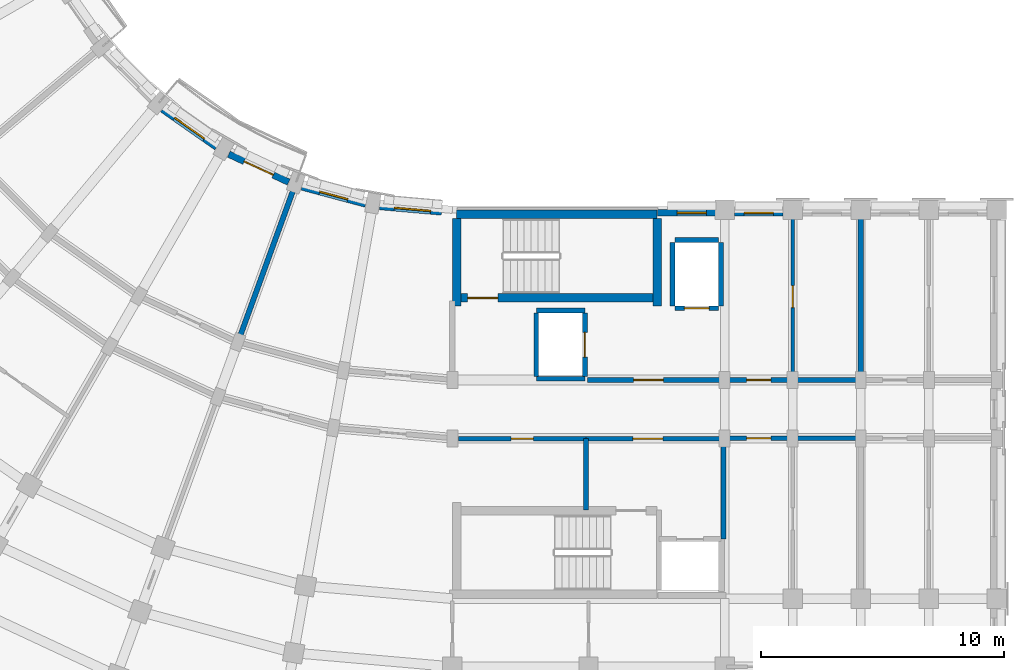
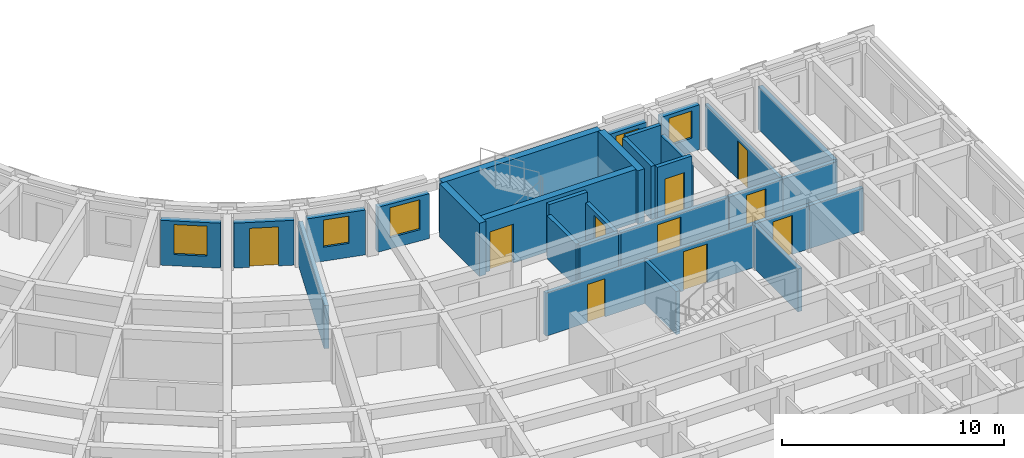
# One storey, part 17 of 54: 30 walls, 10 doors, 5 windows, 15 openings.
"""IFC4 building model written with IfcOpenShell, lengths in metres."""

import ifcopenshell
import ifcopenshell.guid

model = None  # the IFC model being written
_history = None  # IfcOwnerHistory: only IFC2X3 demands one
_inside = {}  # id of a spatial element -> (the spatial element, [elements in it])
_under = {}  # id of a project, library or spatial element -> (it, [spatial elements below it])
_declared = {}  # id of a project -> (the project, [libraries it declares])
_typed = {}  # id of a type object -> (the type object, [elements of that type])
_made_of = {}  # id of a material, layer set ... -> (it, [elements and type objects made of it])


def new_model(schema):
    """Start an empty IFC model of exactly this schema.

    Asked for "IFC4X3", IfcOpenShell would pick the latest addendum, in which some entities
    have other attributes; the version numbers below select the first issue.
    IFC2X3 requires an IfcOwnerHistory on every rooted entity: one is made here for all.
    """
    global model, _history
    if schema == "IFC4X3":
        model = ifcopenshell.file(schema_version=(4, 3, 0, 0))
    else:
        model = ifcopenshell.file(schema=schema)
    _inside.clear()
    _under.clear()
    _declared.clear()
    _typed.clear()
    _made_of.clear()
    _history = None
    if model.schema == "IFC2X3":
        org = make("IfcOrganization", Name="unknown")
        user = make(
            "IfcPersonAndOrganization",
            ThePerson=make("IfcPerson", FamilyName="unknown"),
            TheOrganization=org,
        )
        app = make(
            "IfcApplication",
            ApplicationDeveloper=org,
            Version="unknown",
            ApplicationFullName="unknown",
            ApplicationIdentifier="unknown",
        )
        _history = make(
            "IfcOwnerHistory",
            OwningUser=user,
            OwningApplication=app,
            ChangeAction="ADDED",
            CreationDate=0,
        )
    return model


def make(cls, **values):
    """One entity of the class cls with the attributes given. An attribute that is None is left unset."""
    return model.create_entity(
        cls, **{name: value for name, value in values.items() if value is not None}
    )


def rooted(cls, **values):
    """An entity with a GlobalId (a new one), such as an element, a storey or a relation."""
    return make(cls, GlobalId=ifcopenshell.guid.new(), OwnerHistory=_history, **values)


def si_unit(unit_type, name, prefix=None):
    """IfcSIUnit, for example si_unit("LENGTHUNIT", "METRE", prefix="MILLI")."""
    return make("IfcSIUnit", UnitType=unit_type, Prefix=prefix, Name=name)


def assignment(units):
    """IfcUnitAssignment: the units of a project."""
    return None if units is None else make("IfcUnitAssignment", Units=units)


def point(xyz):
    """IfcCartesianPoint."""
    return None if xyz is None else make("IfcCartesianPoint", Coordinates=xyz)


def direction(xyz):
    """IfcDirection."""
    return None if xyz is None else make("IfcDirection", DirectionRatios=xyz)


def frame(location, z_axis=None, x_axis=None):
    """IfcAxis2Placement3D, a coordinate frame: its origin and axes. An axis left out is left unset."""
    return make(
        "IfcAxis2Placement3D",
        Location=point(location),
        Axis=direction(z_axis),
        RefDirection=direction(x_axis),
    )


def frame_2d(location, x_axis=None):
    """IfcAxis2Placement2D, a coordinate frame in the plane: its origin and x axis."""
    return make(
        "IfcAxis2Placement2D", Location=point(location), RefDirection=direction(x_axis)
    )


def origin():
    """The frame at (0, 0, 0) with its axes left unset."""
    return frame((0.0, 0.0, 0.0))


def place(relative_to, where):
    """IfcLocalPlacement: puts the frame where relative to a parent placement (None: the world)."""
    return make(
        "IfcLocalPlacement", PlacementRelTo=relative_to, RelativePlacement=where
    )


def context(
    kind, dimensions, precision=None, world=None, true_north=None, identifier=None
):
    """IfcGeometricRepresentationContext, for example the 3D "Model" context."""
    return make(
        "IfcGeometricRepresentationContext",
        ContextIdentifier=identifier,
        ContextType=kind,
        CoordinateSpaceDimension=dimensions,
        Precision=precision,
        WorldCoordinateSystem=world,
        TrueNorth=true_north,
    )


def subcontext(parent, identifier, kind, view, scale=None):
    """IfcGeometricRepresentationSubContext, for example "Body" below "Model"."""
    return make(
        "IfcGeometricRepresentationSubContext",
        ContextIdentifier=identifier,
        ContextType=kind,
        ParentContext=parent,
        TargetScale=scale,
        TargetView=view,
    )


def project(units=None, contexts=None):
    """IfcProject with its units and contexts."""
    return rooted(
        "IfcProject",
        Name="project",
        RepresentationContexts=contexts,
        UnitsInContext=assignment(units),
    )


def spatial(cls, under=None, at=None, **own):
    """A site, building, storey or space (cls), placed at a placement, below another one or the project."""
    s = rooted(cls, ObjectPlacement=at, **own)
    if under is not None:
        _under.setdefault(under.id(), (under, []))[1].append(s)
    return s


def profile(cls, at=None, kind="AREA", **sizes):
    """A parametric profile (cls). Its sizes go by their IFC names, for example OverallWidth=200.0."""
    return make(cls, ProfileType=kind, Position=at, **sizes)


def rectangle(**sizes):
    """IfcRectangleProfileDef."""
    return profile("IfcRectangleProfileDef", **sizes)


def extrude(swept, where, along, depth):
    """IfcExtrudedAreaSolid: the profile swept, set in the frame where, extruded along a direction by depth."""
    return make(
        "IfcExtrudedAreaSolid",
        SweptArea=swept,
        Position=where,
        ExtrudedDirection=direction(along),
        Depth=depth,
    )


def shape(context_of_items, identifier, shape_type, items):
    """IfcShapeRepresentation: the items that make up one representation, for example the "Body"."""
    return make(
        "IfcShapeRepresentation",
        ContextOfItems=context_of_items,
        RepresentationIdentifier=identifier,
        RepresentationType=shape_type,
        Items=items,
    )


def material(Name=None, Category=None):
    """IfcMaterial."""
    return make("IfcMaterial", Name=Name, Category=Category)


def layer(
    of_material, thickness, ventilated=None, Name=None, Category=None, Priority=None
):
    """IfcMaterialLayer: one layer of a wall or slab, of a material (None: an air gap)."""
    return make(
        "IfcMaterialLayer",
        Material=of_material,
        LayerThickness=thickness,
        IsVentilated=ventilated,
        Name=Name,
        Category=Category,
        Priority=Priority,
    )


def layer_set(layers, Name=None):
    """IfcMaterialLayerSet."""
    return make("IfcMaterialLayerSet", MaterialLayers=layers, LayerSetName=Name)


def made_of(thing, what):
    """Note that an element or type object is made of a material, layer set ...; save() writes the relation."""
    if what is not None:
        _made_of.setdefault(what.id(), (what, []))[1].append(thing)
    return thing


def type_object(cls, material=None, **own):
    """A type object (cls), such as IfcWallType, which elements share."""
    return made_of(rooted(cls, **own), material)


def element(
    cls,
    number,
    at=None,
    inside=None,
    cuts=None,
    type_object=None,
    material=None,
    context=None,
    identifier="Body",
    shape_type=None,
    held_by="IfcProductDefinitionShape",
    body=None,
    shapes=None,
    **own,
):
    """One element of the class cls, such as IfcWall. Its Tag is "e" and its number.

    at: its placement. inside: the storey or other place that contains it. cuts: it is an
    opening in that element (IfcRelVoidsElement). A single representation is given by context,
    identifier, shape_type and body (its items); several are given by shapes. held_by: the class
    of the entity that holds the representations. save() writes the other relations.
    """
    e = rooted(cls, Tag="e%d" % number, ObjectPlacement=at, **own)
    if body is not None:
        shapes = [shape(context, identifier, shape_type, body)]
    if shapes is not None:
        e.Representation = make(held_by, Representations=shapes)
    if inside is not None:
        _inside.setdefault(inside.id(), (inside, []))[1].append(e)
    if cuts is not None:
        rooted(
            "IfcRelVoidsElement", RelatingBuildingElement=cuts, RelatedOpeningElement=e
        )
    if type_object is not None:
        _typed.setdefault(type_object.id(), (type_object, []))[1].append(e)
    return made_of(e, material)


def fill(opening, filler):
    """IfcRelFillsElement: the door or window that sits in an opening."""
    return rooted(
        "IfcRelFillsElement",
        RelatingOpeningElement=opening,
        RelatedBuildingElement=filler,
    )


def aggregate(whole, parts):
    """IfcRelAggregates: a whole, such as a stair, and the parts it consists of."""
    return rooted("IfcRelAggregates", RelatingObject=whole, RelatedObjects=parts)


def save(model, path):
    """Write the relations noted so far, then the file.

    IfcRelAggregates (storeys below a building ...), IfcRelContainedInSpatialStructure (elements
    in a storey), IfcRelDefinesByType, IfcRelAssociatesMaterial and IfcRelDeclares: one each for
    every whole, place, type object, material and project.
    """
    for whole, parts in _under.values():
        aggregate(whole, parts)
    for where, things in _inside.values():
        rooted(
            "IfcRelContainedInSpatialStructure",
            RelatedElements=things,
            RelatingStructure=where,
        )
    for kind, things in _typed.values():
        rooted("IfcRelDefinesByType", RelatedObjects=things, RelatingType=kind)
    for what, things in _made_of.values():
        rooted("IfcRelAssociatesMaterial", RelatedObjects=things, RelatingMaterial=what)
    for by, libraries in _declared.values():
        rooted("IfcRelDeclares", RelatingContext=by, RelatedDefinitions=libraries)
    model.write(path)


model = new_model("IFC4")

# Units and contexts
model_context = context("Model", 3, precision=1e-05, world=origin(), true_north=direction((0.0, 1.0)))
body_context = subcontext(model_context, "Body", "Model", "MODEL_VIEW")
ifc_project = project(units=[si_unit("LENGTHUNIT", "METRE"), si_unit("AREAUNIT", "SQUARE_METRE"), si_unit("VOLUMEUNIT", "CUBIC_METRE"), si_unit("PLANEANGLEUNIT", "RADIAN"), si_unit("MASSUNIT", "GRAM", prefix="KILO")], contexts=[model_context])

# Site, building, storey
site_placement = place(None, origin())
site = spatial("IfcSite", under=ifc_project, at=site_placement, CompositionType="ELEMENT")
building_placement = place(site_placement, origin())
building = spatial("IfcBuilding", under=site, at=building_placement, Name="Kiranvali Square Residences", CompositionType="ELEMENT")
storey_placement = place(building_placement, frame((0.0, 0.0, 15.0)))
storey = spatial("IfcBuildingStorey", under=building, at=storey_placement, Name="L04", CompositionType="ELEMENT", Elevation=15.0)

# Wall, opening, door
ifc_material_1 = material(Name="Autoclaved aerated concrete blockwork masonry", Category="masonry")
ifc_layer_1 = layer(ifc_material_1, 0.199951171875)
ifc_layer_set_1 = layer_set([ifc_layer_1], Name="Autoclaved aerated concrete blockwork masonry")
wall_type_1 = type_object("IfcWallType", Name="WL-COR-200", PredefinedType="STANDARD", material=ifc_layer_set_1)
wall_1_placement = place(storey_placement, frame((53.75, 22.39990234375, 0.0), z_axis=(0.0, 0.0, 1.0), x_axis=(1.0, 0.0, 0.0)))
wall_1 = element("IfcWall", 1, at=wall_1_placement, inside=storey, type_object=wall_type_1, Name="L04 architectural wall WL-L04-C-LL-COR", PredefinedType="STANDARD", context=body_context, shape_type="SweptSolid", body=[
    extrude(rectangle(XDim=5.60009765625, YDim=0.199951171875, at=frame_2d((2.800048828125, 0.0))), origin(), (0.0, 0.0, 1.0), 2.3720703125),
])
opening_1_placement = place(wall_1_placement, frame((1.909912109375, 0.0, 0.0)))
opening_1 = element("IfcOpeningElement", 2, at=opening_1_placement, cuts=wall_1, Name="Opening FD-COR-60", PredefinedType="OPENING", context=body_context, shape_type="SweptSolid", body=[
    extrude(rectangle(XDim=1.219970703125, YDim=2.14990234375, at=frame_2d((0.60986328125, 1.074951171875))), frame((0.0, 0.10986328125, 0.0), z_axis=(0.0, -1.0, 0.0), x_axis=(1.0, 0.0, 0.0)), (0.0, 0.0, 1.0), 0.219970703125),
])
ifc_material_2 = material(Name="Fire-rated acoustic hardwood and mineral-core door assembly", Category="wood")
door_type_1 = type_object("IfcDoorType", Name="DR-FD60-1200", OperationType="NOTDEFINED", PredefinedType="DOOR", material=ifc_material_2)
door_1_placement = place(opening_1_placement, frame((1.219970703125, 0.0, 0.0), z_axis=(0.0, 0.0, 1.0), x_axis=(-1.0, 0.0, 0.0)))
door_1 = element("IfcDoor", 3, at=door_1_placement, inside=storey, type_object=door_type_1, Name="L04 door DR-L04-1974 (DR-FD60-1200)", OperationType="SINGLE_SWING_RIGHT", OverallHeight=2.14990234375, OverallWidth=1.219970703125, PredefinedType="DOOR", context=body_context, shape_type="SweptSolid", body=[
    extrude(rectangle(XDim=1.219970703125, YDim=2.14990234375, at=frame_2d((0.60986328125, 1.074951171875))), frame((0.0, 0.02490234375, 0.0), z_axis=(0.0, -1.0, 0.0), x_axis=(1.0, 0.0, 0.0)), (0.0, 0.0, 1.0), 0.050048828125),
])
fill(opening_1, door_1)

wall_2_placement = place(storey_placement, frame((59.39990234375, 22.39990234375, 0.0), z_axis=(0.0, 0.0, 1.0), x_axis=(1.0, 0.0, 0.0)))
wall_2 = element("IfcWall", 4, at=wall_2_placement, inside=storey, type_object=wall_type_1, Name="L04 architectural wall WL-L04-C-A1CI-0", PredefinedType="STANDARD", context=body_context, shape_type="SweptSolid", body=[
    extrude(rectangle(XDim=2.800048828125, YDim=0.199951171875, at=frame_2d((1.39990234375, 0.0))), origin(), (0.0, 0.0, 1.0), 2.3720703125),
])
opening_2_placement = place(wall_2_placement, frame((0.89990234375, 0.0, 0.0)))
opening_2 = element("IfcOpeningElement", 5, at=opening_2_placement, cuts=wall_2, Name="Opening FD-APT-60", PredefinedType="OPENING", context=body_context, shape_type="SweptSolid", body=[
    extrude(rectangle(XDim=1.0, YDim=2.14990234375, at=frame_2d((0.5, 1.074951171875))), frame((0.0, 0.10986328125, 0.0), z_axis=(0.0, -1.0, 0.0), x_axis=(1.0, 0.0, 0.0)), (0.0, 0.0, 1.0), 0.219970703125),
])
door_type_2 = type_object("IfcDoorType", Name="DR-APT-1000", OperationType="NOTDEFINED", PredefinedType="DOOR", material=ifc_material_2)
door_2_placement = place(opening_2_placement, frame((1.0, 0.0, 0.0), z_axis=(0.0, 0.0, 1.0), x_axis=(-1.0, 0.0, 0.0)))
door_2 = element("IfcDoor", 6, at=door_2_placement, inside=storey, type_object=door_type_2, Name="L04 door DR-L04-1978 (DR-APT-1000)", OperationType="SINGLE_SWING_RIGHT", OverallHeight=2.14990234375, OverallWidth=1.0, PredefinedType="DOOR", context=body_context, shape_type="SweptSolid", body=[
    extrude(rectangle(XDim=1.0, YDim=2.14990234375, at=frame_2d((0.5, 1.074951171875))), frame((0.0, 0.02490234375, 0.0), z_axis=(0.0, -1.0, 0.0), x_axis=(1.0, 0.0, 0.0)), (0.0, 0.0, 1.0), 0.050048828125),
])
fill(opening_2, door_2)

wall_3_placement = place(storey_placement, frame((59.39990234375, 20.0, 0.0), z_axis=(0.0, 0.0, 1.0), x_axis=(1.0, 0.0, 0.0)))
wall_3 = element("IfcWall", 7, at=wall_3_placement, inside=storey, type_object=wall_type_1, Name="L04 architectural wall WL-L04-C-A1CO-0", PredefinedType="STANDARD", context=body_context, shape_type="SweptSolid", body=[
    extrude(rectangle(XDim=2.800048828125, YDim=0.199951171875, at=frame_2d((1.39990234375, 0.0))), origin(), (0.0, 0.0, 1.0), 2.3720703125),
])
opening_3_placement = place(wall_3_placement, frame((0.89990234375, 0.0, 0.0)))
opening_3 = element("IfcOpeningElement", 8, at=opening_3_placement, cuts=wall_3, Name="Opening FD-APT-60", PredefinedType="OPENING", context=body_context, shape_type="SweptSolid", body=[
    extrude(rectangle(XDim=1.0, YDim=2.14990234375, at=frame_2d((0.5, 1.074951171875))), frame((0.0, 0.10986328125, 0.0), z_axis=(0.0, -1.0, 0.0), x_axis=(1.0, 0.0, 0.0)), (0.0, 0.0, 1.0), 0.219970703125),
])
door_3_placement = place(opening_3_placement, frame((1.0, 0.0, 0.0), z_axis=(0.0, 0.0, 1.0), x_axis=(-1.0, 0.0, 0.0)))
door_3 = element("IfcDoor", 9, at=door_3_placement, inside=storey, type_object=door_type_2, Name="L04 door DR-L04-1980 (DR-APT-1000)", OperationType="SINGLE_SWING_RIGHT", OverallHeight=2.14990234375, OverallWidth=1.0, PredefinedType="DOOR", context=body_context, shape_type="SweptSolid", body=[
    extrude(rectangle(XDim=1.0, YDim=2.14990234375, at=frame_2d((0.5, 1.074951171875))), frame((0.0, 0.02490234375, 0.0), z_axis=(0.0, -1.0, 0.0), x_axis=(1.0, 0.0, 0.0)), (0.0, 0.0, 1.0), 0.050048828125),
])
fill(opening_3, door_3)

# Walls
for number, where, z_axis, x_axis, name in (
    (10, (62.199951171875, 22.39990234375, 0.0), (0.0, 0.0, 1.0), (1.0, 0.0, 0.0), "L04 architectural wall WL-L04-C-A1CI-1"),
    (11, (62.199951171875, 20.0, 0.0), (0.0, 0.0, 1.0), (1.0, 0.0, 0.0), "L04 architectural wall WL-L04-C-A1CO-1"),
):
    element("IfcWall", number, at=place(storey_placement, frame(where, z_axis=z_axis, x_axis=x_axis)), inside=storey, type_object=wall_type_1, Name=name, PredefinedType="STANDARD", context=body_context, shape_type="SweptSolid", body=[
        extrude(rectangle(XDim=2.800048828125, YDim=0.199951171875, at=frame_2d((1.39990234375, 0.0))), origin(), (0.0, 0.0, 1.0), 2.3720703125),
    ])
ifc_layer_2 = layer(ifc_material_1, 0.219970703125)
ifc_layer_set_2 = layer_set([ifc_layer_2], Name="Autoclaved aerated concrete blockwork masonry")
wall_type_2 = type_object("IfcWallType", Name="WL-DEM-220", PredefinedType="STANDARD", material=ifc_layer_set_2)
for number, where, z_axis, x_axis, name in (
    (12, (65.0, 29.199951171875, 0.0), (0.0, 0.0, 1.0), (0.0, -1.0, 0.0), "L04 architectural wall WL-L04-C-A1TI-2"),
    (13, (41.70166015625, 30.345947265625, 0.0), (0.0, 0.0, 1.0), (-0.342010221662, -0.939696231917, 0.0), "L04 architectural wall WL-L04-C-RADI-2"),
):
    element("IfcWall", number, at=place(storey_placement, frame(where, z_axis=z_axis, x_axis=x_axis)), inside=storey, type_object=wall_type_2, Name=name, PredefinedType="STANDARD", context=body_context, shape_type="SweptSolid", body=[
        extrude(rectangle(XDim=6.75, YDim=0.219970703125, at=frame_2d((3.375, 0.0))), origin(), (0.0, 0.0, 1.0), 2.3720703125),
    ])

# Wall, opening, window
ifc_material_3 = material(Name="Breathable lime-rendered clay brick masonry", Category="masonry")
ifc_layer_3 = layer(ifc_material_3, 0.27490234375)
ifc_layer_set_3 = layer_set([ifc_layer_3], Name="Breathable lime-rendered clay brick masonry")
wall_type_3 = type_object("IfcWallType", Name="WL-EXT-275", PredefinedType="STANDARD", material=ifc_layer_set_3)
wall_4_placement = place(storey_placement, frame((47.750732421875, 29.313720703125, 0.0), z_axis=(0.0, 0.0, 1.0), x_axis=(-0.996194235595, 0.08716102895, 0.0)))
wall_4 = element("IfcWall", 14, at=wall_4_placement, inside=storey, type_object=wall_type_3, Name="L04 exterior wall C-L04-GDN-00", PredefinedType="STANDARD", context=body_context, shape_type="SweptSolid", body=[
    extrude(rectangle(XDim=2.557373046875, YDim=0.27490234375, at=frame_2d((1.27880859375, 0.0))), origin(), (0.0, 0.0, 1.0), 2.471923828125),
])
opening_4_placement = place(wall_4_placement, frame((0.448486328125, 0.0, 0.6220703125)))
opening_4 = element("IfcOpeningElement", 15, at=opening_4_placement, cuts=wall_4, Name="Opening W-05", PredefinedType="OPENING", context=body_context, shape_type="SweptSolid", body=[
    extrude(rectangle(XDim=1.5, YDim=1.64990234375, at=frame_2d((0.75, 0.824951171875))), frame((0.0, 0.1474609375, 0.0), z_axis=(0.0, -1.0, 0.0), x_axis=(1.0, 0.0, 0.0)), (0.0, 0.0, 1.0), 0.294921875),
])
ifc_material_4 = material(Name="Solar-control low-e double glazing", Category="glass")
window_type_1 = type_object("IfcWindowType", Name="WIN-RES-1500x1650", PartitioningType="DOUBLE_PANEL_VERTICAL", PredefinedType="WINDOW", material=ifc_material_4)
window_1_placement = place(opening_4_placement, origin())
window_1 = element("IfcWindow", 16, at=window_1_placement, inside=storey, type_object=window_type_1, Name="L04 recessed window C-L04-GDN-00", OverallHeight=1.64990234375, OverallWidth=1.5, PartitioningType="DOUBLE_PANEL_VERTICAL", PredefinedType="WINDOW", context=body_context, shape_type="SweptSolid", body=[
    extrude(rectangle(XDim=1.5, YDim=1.64990234375, at=frame_2d((0.75, 0.824951171875))), frame((0.0, 0.030029296875, 0.0), z_axis=(0.0, -1.0, 0.0), x_axis=(1.0, 0.0, 0.0)), (0.0, 0.0, 1.0), 0.06005859375),
])
fill(opening_4, window_1)

wall_5_placement = place(storey_placement, frame((44.6328125, 29.63720703125, 0.0), z_axis=(0.0, 0.0, 1.0), x_axis=(-0.965925595341, 0.258819907011, 0.0)))
wall_5 = element("IfcWall", 17, at=wall_5_placement, inside=storey, type_object=wall_type_3, Name="L04 exterior wall C-L04-GDN-01", PredefinedType="STANDARD", context=body_context, shape_type="SweptSolid", body=[
    extrude(rectangle(XDim=2.717529296875, YDim=0.27490234375, at=frame_2d((1.35888671875, 0.0))), origin(), (0.0, 0.0, 1.0), 2.471923828125),
])
opening_5_placement = place(wall_5_placement, frame((0.7587890625, 0.0, 0.77197265625)))
opening_5 = element("IfcOpeningElement", 18, at=opening_5_placement, cuts=wall_5, Name="Opening W-06", PredefinedType="OPENING", context=body_context, shape_type="SweptSolid", body=[
    extrude(rectangle(XDim=1.199951171875, YDim=1.5, at=frame_2d((0.60009765625, 0.75))), frame((0.0, 0.1474609375, 0.0), z_axis=(0.0, -1.0, 0.0), x_axis=(1.0, 0.0, 0.0)), (0.0, 0.0, 1.0), 0.294921875),
])
window_type_2 = type_object("IfcWindowType", Name="WIN-RES-1200x1500", PartitioningType="SINGLE_PANEL", PredefinedType="WINDOW", material=ifc_material_4)
window_2_placement = place(opening_5_placement, origin())
window_2 = element("IfcWindow", 19, at=window_2_placement, inside=storey, type_object=window_type_2, Name="L04 recessed window C-L04-GDN-01", OverallHeight=1.5, OverallWidth=1.199951171875, PartitioningType="SINGLE_PANEL", PredefinedType="WINDOW", context=body_context, shape_type="SweptSolid", body=[
    extrude(rectangle(XDim=1.199951171875, YDim=1.5, at=frame_2d((0.60009765625, 0.75))), frame((0.0, 0.030029296875, 0.0), z_axis=(0.0, -1.0, 0.0), x_axis=(1.0, 0.0, 0.0)), (0.0, 0.0, 1.0), 0.06005859375),
])
fill(opening_5, window_2)

# Wall, opening, door
wall_6_placement = place(storey_placement, frame((41.463623046875, 30.538818359375, 0.0), z_axis=(0.0, 0.0, 1.0), x_axis=(-0.906311629168, 0.422610022166, 0.0)))
wall_6 = element("IfcWall", 20, at=wall_6_placement, inside=storey, type_object=wall_type_3, Name="L04 exterior wall C-L04-GDN-02", PredefinedType="STANDARD", context=body_context, shape_type="SweptSolid", body=[
    extrude(rectangle(XDim=2.717529296875, YDim=0.27490234375, at=frame_2d((1.35888671875, 0.0))), origin(), (0.0, 0.0, 1.0), 2.471923828125),
])
opening_6_placement = place(wall_6_placement, frame((0.69873046875, 0.0, 0.0)))
opening_6 = element("IfcOpeningElement", 21, at=opening_6_placement, cuts=wall_6, Name="Opening ED-BAL-3", PredefinedType="OPENING", context=body_context, shape_type="SweptSolid", body=[
    extrude(rectangle(XDim=1.320068359375, YDim=2.14990234375, at=frame_2d((0.66015625, 1.074951171875))), frame((0.0, 0.1474609375, 0.0), z_axis=(0.0, -1.0, 0.0), x_axis=(1.0, 0.0, 0.0)), (0.0, 0.0, 1.0), 0.294921875),
])
ifc_material_5 = material(Name="Anodised bronze aluminium framing", Category="aluminium")
door_type_3 = type_object("IfcDoorType", Name="DR-BAL-1320", OperationType="NOTDEFINED", PredefinedType="DOOR", material=ifc_material_5)
door_4_placement = place(opening_6_placement, frame((1.320068359375, 0.0, 0.0), z_axis=(0.0, 0.0, 1.0), x_axis=(-1.0, 0.0, 0.0)))
door_4 = element("IfcDoor", 22, at=door_4_placement, inside=storey, type_object=door_type_3, Name="L04 balcony terrace door", OperationType="SINGLE_SWING_LEFT", OverallHeight=2.14990234375, OverallWidth=1.320068359375, PredefinedType="DOOR", context=body_context, shape_type="SweptSolid", body=[
    extrude(rectangle(XDim=1.320068359375, YDim=2.14990234375, at=frame_2d((0.66015625, 1.074951171875))), frame((0.0, 0.02490234375, 0.0), z_axis=(0.0, -1.0, 0.0), x_axis=(1.0, 0.0, 0.0)), (0.0, 0.0, 1.0), 0.050048828125),
])
fill(opening_6, door_4)

# Wall, opening, window
wall_7_placement = place(storey_placement, frame((38.4990234375, 31.976806640625, 0.0), z_axis=(0.0, 0.0, 1.0), x_axis=(-0.81917282593, 0.573546755948, 0.0)))
wall_7 = element("IfcWall", 23, at=wall_7_placement, inside=storey, type_object=wall_type_3, Name="L04 exterior wall C-L04-GDN-03", PredefinedType="STANDARD", context=body_context, shape_type="SweptSolid", body=[
    extrude(rectangle(XDim=2.717529296875, YDim=0.27490234375, at=frame_2d((1.35888671875, 0.0))), origin(), (0.0, 0.0, 1.0), 2.471923828125),
])
opening_7_placement = place(wall_7_placement, frame((0.608642578125, 0.0, 0.6220703125)))
opening_7 = element("IfcOpeningElement", 24, at=opening_7_placement, cuts=wall_7, Name="Opening W-05", PredefinedType="OPENING", context=body_context, shape_type="SweptSolid", body=[
    extrude(rectangle(XDim=1.5, YDim=1.64990234375, at=frame_2d((0.75, 0.824951171875))), frame((0.0, 0.1474609375, 0.0), z_axis=(0.0, -1.0, 0.0), x_axis=(1.0, 0.0, 0.0)), (0.0, 0.0, 1.0), 0.294921875),
])
window_3_placement = place(opening_7_placement, origin())
window_3 = element("IfcWindow", 25, at=window_3_placement, inside=storey, type_object=window_type_1, Name="L04 recessed window C-L04-GDN-03", OverallHeight=1.64990234375, OverallWidth=1.5, PartitioningType="DOUBLE_PANEL_VERTICAL", PredefinedType="WINDOW", context=body_context, shape_type="SweptSolid", body=[
    extrude(rectangle(XDim=1.5, YDim=1.64990234375, at=frame_2d((0.75, 0.824951171875))), frame((0.0, 0.030029296875, 0.0), z_axis=(0.0, -1.0, 0.0), x_axis=(1.0, 0.0, 0.0)), (0.0, 0.0, 1.0), 0.06005859375),
])
fill(opening_7, window_3)

wall_8_placement = place(storey_placement, frame((56.62841796875, 29.27490234375, 0.0), z_axis=(0.0, 0.0, 1.0), x_axis=(1.0, 0.0, 0.0)))
wall_8 = element("IfcWall", 26, at=wall_8_placement, inside=storey, type_object=wall_type_3, Name="L04 exterior wall C-L04-A1IN-0", PredefinedType="STANDARD", context=body_context, shape_type="SweptSolid", body=[
    extrude(rectangle(XDim=2.421630859375, YDim=0.27490234375, at=frame_2d((1.2109375, 0.0))), origin(), (0.0, 0.0, 1.0), 2.471923828125),
])
opening_8_placement = place(wall_8_placement, frame((0.821533203125, 0.0, 0.77197265625)))
opening_8 = element("IfcOpeningElement", 27, at=opening_8_placement, cuts=wall_8, Name="Opening W-06", PredefinedType="OPENING", context=body_context, shape_type="SweptSolid", body=[
    extrude(rectangle(XDim=1.199951171875, YDim=1.5, at=frame_2d((0.60009765625, 0.75))), frame((0.0, 0.1474609375, 0.0), z_axis=(0.0, -1.0, 0.0), x_axis=(1.0, 0.0, 0.0)), (0.0, 0.0, 1.0), 0.294921875),
])
window_4_placement = place(opening_8_placement, origin())
window_4 = element("IfcWindow", 28, at=window_4_placement, inside=storey, type_object=window_type_2, Name="L04 recessed window C-L04-A1IN-0", OverallHeight=1.5, OverallWidth=1.199951171875, PartitioningType="SINGLE_PANEL", PredefinedType="WINDOW", context=body_context, shape_type="SweptSolid", body=[
    extrude(rectangle(XDim=1.199951171875, YDim=1.5, at=frame_2d((0.60009765625, 0.75))), frame((0.0, 0.030029296875, 0.0), z_axis=(0.0, -1.0, 0.0), x_axis=(1.0, 0.0, 0.0)), (0.0, 0.0, 1.0), 0.06005859375),
])
fill(opening_8, window_4)

wall_9_placement = place(storey_placement, frame((59.803466796875, 29.27490234375, 0.0), z_axis=(0.0, 0.0, 1.0), x_axis=(1.0, 0.0, 0.0)))
wall_9 = element("IfcWall", 29, at=wall_9_placement, inside=storey, type_object=wall_type_3, Name="L04 exterior wall C-L04-A1I-0", PredefinedType="STANDARD", context=body_context, shape_type="SweptSolid", body=[
    extrude(rectangle(XDim=1.992919921875, YDim=0.27490234375, at=frame_2d((0.99658203125, 0.0))), origin(), (0.0, 0.0, 1.0), 2.471923828125),
])
opening_9_placement = place(wall_9_placement, frame((0.396484375, 0.0, 0.77197265625)))
opening_9 = element("IfcOpeningElement", 30, at=opening_9_placement, cuts=wall_9, Name="Opening W-06", PredefinedType="OPENING", context=body_context, shape_type="SweptSolid", body=[
    extrude(rectangle(XDim=1.199951171875, YDim=1.5, at=frame_2d((0.60009765625, 0.75))), frame((0.0, 0.1474609375, 0.0), z_axis=(0.0, -1.0, 0.0), x_axis=(1.0, 0.0, 0.0)), (0.0, 0.0, 1.0), 0.294921875),
])
window_5_placement = place(opening_9_placement, origin())
window_5 = element("IfcWindow", 31, at=window_5_placement, inside=storey, type_object=window_type_2, Name="L04 recessed window C-L04-A1I-0", OverallHeight=1.5, OverallWidth=1.199951171875, PartitioningType="SINGLE_PANEL", PredefinedType="WINDOW", context=body_context, shape_type="SweptSolid", body=[
    extrude(rectangle(XDim=1.199951171875, YDim=1.5, at=frame_2d((0.60009765625, 0.75))), frame((0.0, 0.030029296875, 0.0), z_axis=(0.0, -1.0, 0.0), x_axis=(1.0, 0.0, 0.0)), (0.0, 0.0, 1.0), 0.06005859375),
])
fill(opening_9, window_5)

# Wall, opening, door
ifc_layer_4 = layer(ifc_material_1, 0.199951171875)
ifc_layer_set_4 = layer_set([ifc_layer_4], Name="Autoclaved aerated concrete blockwork masonry")
wall_type_4 = type_object("IfcWallType", Name="WL-FFL-200", PredefinedType="STANDARD", material=ifc_layer_set_4)
wall_10_placement = place(storey_placement, frame((53.699951171875, 19.97998046875, 0.0), z_axis=(0.0, 0.0, 1.0), x_axis=(1.0, 0.0, 0.0)))
wall_10 = element("IfcWall", 32, at=wall_10_placement, inside=storey, type_object=wall_type_4, Name="L04 architectural wall WL-L04-C-FF-COR", PredefinedType="STANDARD", context=body_context, shape_type="SweptSolid", body=[
    extrude(rectangle(XDim=5.650146484375, YDim=0.199951171875, at=frame_2d((2.8251953125, 0.0))), origin(), (0.0, 0.0, 1.0), 2.3720703125),
])
opening_10_placement = place(wall_10_placement, frame((1.922607421875, 0.0, 0.0)))
opening_10 = element("IfcOpeningElement", 33, at=opening_10_placement, cuts=wall_10, Name="Opening FD-ST-120", PredefinedType="OPENING", context=body_context, shape_type="SweptSolid", body=[
    extrude(rectangle(XDim=1.239990234375, YDim=2.14990234375, at=frame_2d((0.6201171875, 1.074951171875))), frame((0.0, 0.10986328125, 0.0), z_axis=(0.0, -1.0, 0.0), x_axis=(1.0, 0.0, 0.0)), (0.0, 0.0, 1.0), 0.219970703125),
])
door_type_4 = type_object("IfcDoorType", Name="DR-FD120-1200", OperationType="NOTDEFINED", PredefinedType="DOOR", material=ifc_material_2)
door_5_placement = place(opening_10_placement, frame((1.239990234375, 0.0, 0.0), z_axis=(0.0, 0.0, 1.0), x_axis=(-1.0, 0.0, 0.0)))
door_5 = element("IfcDoor", 34, at=door_5_placement, inside=storey, type_object=door_type_4, Name="L04 door DR-L04-1966 (DR-FD120-1200)", OperationType="SINGLE_SWING_RIGHT", OverallHeight=2.14990234375, OverallWidth=1.239990234375, PredefinedType="DOOR", context=body_context, shape_type="SweptSolid", body=[
    extrude(rectangle(XDim=1.239990234375, YDim=2.14990234375, at=frame_2d((0.6201171875, 1.074951171875))), frame((0.0, 0.02490234375, 0.0), z_axis=(0.0, -1.0, 0.0), x_axis=(1.0, 0.0, 0.0)), (0.0, 0.0, 1.0), 0.050048828125),
])
fill(opening_10, door_5)

# Walls
wall_11_placement = place(storey_placement, frame((53.699951171875, 19.97998046875, 0.0), z_axis=(0.0, 0.0, 1.0), x_axis=(0.0, -1.0, 0.0)))
element("IfcWall", 35, at=wall_11_placement, inside=storey, type_object=wall_type_4, Name="L04 architectural wall WL-L04-C-FF-DIV", PredefinedType="STANDARD", context=body_context, shape_type="SweptSolid", body=[
    extrude(rectangle(XDim=2.929931640625, YDim=0.199951171875, at=frame_2d((1.46484375, 0.0))), origin(), (0.0, 0.0, 1.0), 2.3720703125),
])
wall_12_placement = place(storey_placement, frame((59.35009765625, 19.97998046875, 0.0), z_axis=(0.0, 0.0, 1.0), x_axis=(0.0, -1.0, 0.0)))
element("IfcWall", 36, at=wall_12_placement, inside=storey, type_object=wall_type_4, Name="L04 architectural wall WL-L04-C-FF-END", PredefinedType="STANDARD", context=body_context, shape_type="SweptSolid", body=[
    extrude(rectangle(XDim=4.1298828125, YDim=0.199951171875, at=frame_2d((2.06494140625, 0.0))), origin(), (0.0, 0.0, 1.0), 2.3720703125),
])

# Wall, opening, door
ifc_material_6 = material(Name="Acoustic gypsum board drylined partition", Category="gypsum")
ifc_layer_5 = layer(ifc_material_6, 0.14990234375)
ifc_layer_set_5 = layer_set([ifc_layer_5], Name="Acoustic gypsum board drylined partition")
wall_type_5 = type_object("IfcWallType", Name="WL-PRT-150", PredefinedType="PARTITIONING", material=ifc_layer_set_5)
wall_13_placement = place(storey_placement, frame((62.199951171875, 29.199951171875, 0.0), z_axis=(0.0, 0.0, 1.0), x_axis=(0.0, -1.0, 0.0)))
wall_13 = element("IfcWall", 37, at=wall_13_placement, inside=storey, type_object=wall_type_5, Name="L04 architectural wall WL-L04-C-A1TI-1", PredefinedType="PARTITIONING", context=body_context, shape_type="SweptSolid", body=[
    extrude(rectangle(XDim=6.75, YDim=0.14990234375, at=frame_2d((3.375, 0.0))), origin(), (0.0, 0.0, 1.0), 2.3720703125),
])
opening_11_placement = place(wall_13_placement, frame((2.925048828125, 0.0, 0.0)))
opening_11 = element("IfcOpeningElement", 38, at=opening_11_placement, cuts=wall_13, Name="Opening ID-1", PredefinedType="OPENING", context=body_context, shape_type="SweptSolid", body=[
    extrude(rectangle(XDim=0.89990234375, YDim=2.10009765625, at=frame_2d((0.449951171875, 1.050048828125))), frame((0.0, 0.0849609375, 0.0), z_axis=(0.0, -1.0, 0.0), x_axis=(1.0, 0.0, 0.0)), (0.0, 0.0, 1.0), 0.169921875),
])
ifc_material_7 = material(Name="Solid seasoned teak hardwood joinery", Category="wood")
door_type_5 = type_object("IfcDoorType", Name="DR-INT-900", OperationType="NOTDEFINED", PredefinedType="DOOR", material=ifc_material_7)
door_6_placement = place(opening_11_placement, origin())
door_6 = element("IfcDoor", 39, at=door_6_placement, inside=storey, type_object=door_type_5, Name="L04 door DR-L04-1987 (DR-INT-900)", OperationType="SINGLE_SWING_LEFT", OverallHeight=2.10009765625, OverallWidth=0.89990234375, PredefinedType="DOOR", context=body_context, shape_type="SweptSolid", body=[
    extrude(rectangle(XDim=0.89990234375, YDim=2.10009765625, at=frame_2d((0.449951171875, 1.050048828125))), frame((0.0, 0.02490234375, 0.0), z_axis=(0.0, -1.0, 0.0), x_axis=(1.0, 0.0, 0.0)), (0.0, 0.0, 1.0), 0.050048828125),
])
fill(opening_11, door_6)

ifc_layer_6 = layer(ifc_material_1, 0.199951171875)
ifc_layer_set_6 = layer_set([ifc_layer_6], Name="Autoclaved aerated concrete blockwork masonry")
wall_type_6 = type_object("IfcWallType", Name="WL-SHF-200", PredefinedType="STANDARD", material=ifc_layer_set_6)
wall_14_placement = place(storey_placement, frame((48.449951171875, 19.97998046875, 0.0), z_axis=(0.0, 0.0, 1.0), x_axis=(1.0, 0.0, 0.0)))
wall_14 = element("IfcWall", 40, at=wall_14_placement, inside=storey, type_object=wall_type_6, Name="L04 architectural wall WL-L04-C-RSR-COR", PredefinedType="STANDARD", context=body_context, shape_type="SweptSolid", body=[
    extrude(rectangle(XDim=5.25, YDim=0.199951171875, at=frame_2d((2.625, 0.0))), origin(), (0.0, 0.0, 1.0), 2.3720703125),
])
opening_12_placement = place(wall_14_placement, frame((2.1650390625, 0.0, 0.0)))
opening_12 = element("IfcOpeningElement", 41, at=opening_12_placement, cuts=wall_14, Name="Opening FD-SVC-120", PredefinedType="OPENING", context=body_context, shape_type="SweptSolid", body=[
    extrude(rectangle(XDim=0.919921875, YDim=2.10009765625, at=frame_2d((0.4599609375, 1.050048828125))), frame((0.0, 0.10986328125, 0.0), z_axis=(0.0, -1.0, 0.0), x_axis=(1.0, 0.0, 0.0)), (0.0, 0.0, 1.0), 0.219970703125),
])
door_type_6 = type_object("IfcDoorType", Name="DR-SVC-900", OperationType="NOTDEFINED", PredefinedType="DOOR", material=ifc_material_2)
door_7_placement = place(opening_12_placement, origin())
door_7 = element("IfcDoor", 42, at=door_7_placement, inside=storey, type_object=door_type_6, Name="L04 door DR-L04-1967 (DR-SVC-900)", OperationType="SINGLE_SWING_LEFT", OverallHeight=2.10009765625, OverallWidth=0.919921875, PredefinedType="DOOR", context=body_context, shape_type="SweptSolid", body=[
    extrude(rectangle(XDim=0.919921875, YDim=2.10009765625, at=frame_2d((0.4599609375, 1.050048828125))), frame((0.0, 0.02490234375, 0.0), z_axis=(0.0, -1.0, 0.0), x_axis=(1.0, 0.0, 0.0)), (0.0, 0.0, 1.0), 0.050048828125),
])
fill(opening_12, door_7)

# Walls
wall_15_placement = place(storey_placement, frame((57.25, 28.050048828125, 0.0), z_axis=(0.0, 0.0, 1.0), x_axis=(0.0, -1.0, 0.0)))
element("IfcWall", 43, at=wall_15_placement, inside=storey, type_object=wall_type_6, Name="L04 architectural wall WL-L04-C-LP1-S1", PredefinedType="STANDARD", context=body_context, shape_type="SweptSolid", body=[
    extrude(rectangle(XDim=2.60009765625, YDim=0.199951171875, at=frame_2d((1.300048828125, 0.0))), origin(), (0.0, 0.0, 1.0), 2.929931640625),
])
wall_16_placement = place(storey_placement, frame((59.25, 28.050048828125, 0.0), z_axis=(0.0, 0.0, 1.0), x_axis=(0.0, -1.0, 0.0)))
element("IfcWall", 44, at=wall_16_placement, inside=storey, type_object=wall_type_6, Name="L04 architectural wall WL-L04-C-LP1-B", PredefinedType="STANDARD", context=body_context, shape_type="SweptSolid", body=[
    extrude(rectangle(XDim=2.60009765625, YDim=0.199951171875, at=frame_2d((1.300048828125, 0.0))), origin(), (0.0, 0.0, 1.0), 2.3720703125),
])
wall_17_placement = place(storey_placement, frame((57.35009765625, 28.14990234375, 0.0), z_axis=(0.0, 0.0, 1.0), x_axis=(1.0, 0.0, 0.0)))
element("IfcWall", 45, at=wall_17_placement, inside=storey, type_object=wall_type_6, Name="L04 architectural wall WL-L04-C-LP1-S2", PredefinedType="STANDARD", context=body_context, shape_type="SweptSolid", body=[
    extrude(rectangle(XDim=1.7998046875, YDim=0.199951171875, at=frame_2d((0.89990234375, 0.0))), origin(), (0.0, 0.0, 1.0), 2.929931640625),
])

# Wall, opening, door
wall_18_placement = place(storey_placement, frame((57.35009765625, 25.35009765625, 0.0), z_axis=(0.0, 0.0, 1.0), x_axis=(1.0, 0.0, 0.0)))
wall_18 = element("IfcWall", 46, at=wall_18_placement, inside=storey, type_object=wall_type_6, Name="L04 architectural wall WL-L04-C-LP1-F", PredefinedType="STANDARD", context=body_context, shape_type="SweptSolid", body=[
    extrude(rectangle(XDim=1.7998046875, YDim=0.199951171875, at=frame_2d((0.89990234375, 0.0))), origin(), (0.0, 0.0, 1.0), 2.929931640625),
])
opening_13_placement = place(wall_18_placement, frame((0.389892578125, 0.0, 0.0)))
opening_13 = element("IfcOpeningElement", 47, at=opening_13_placement, cuts=wall_18, Name="Opening LD-PAX-100", PredefinedType="OPENING", context=body_context, shape_type="SweptSolid", body=[
    extrude(rectangle(XDim=1.02001953125, YDim=2.14990234375, at=frame_2d((0.510009765625, 1.074951171875))), frame((0.0, 0.10986328125, 0.0), z_axis=(0.0, -1.0, 0.0), x_axis=(1.0, 0.0, 0.0)), (0.0, 0.0, 1.0), 0.219970703125),
])
door_type_7 = type_object("IfcDoorType", Name="DR-LIFT-1000", OperationType="SLIDING_TO_RIGHT", PredefinedType="DOOR", material=ifc_material_2)
door_8_placement = place(opening_13_placement, origin())
door_8 = element("IfcDoor", 48, at=door_8_placement, inside=storey, type_object=door_type_7, Name="L04 door DR-L04-1972 (DR-LIFT-1000)", OperationType="SLIDING_TO_RIGHT", OverallHeight=2.14990234375, OverallWidth=1.02001953125, PredefinedType="DOOR", context=body_context, shape_type="SweptSolid", body=[
    extrude(rectangle(XDim=1.02001953125, YDim=2.14990234375, at=frame_2d((0.510009765625, 1.074951171875))), frame((0.0, 0.02490234375, 0.0), z_axis=(0.0, -1.0, 0.0), x_axis=(1.0, 0.0, 0.0)), (0.0, 0.0, 1.0), 0.050048828125),
])
fill(opening_13, door_8)

# Walls
wall_19_placement = place(storey_placement, frame((51.64990234375, 25.25, 0.0), z_axis=(0.0, 0.0, 1.0), x_axis=(1.0, 0.0, 0.0)))
element("IfcWall", 49, at=wall_19_placement, inside=storey, type_object=wall_type_6, Name="L04 architectural wall WL-L04-C-LP2-S0", PredefinedType="STANDARD", context=body_context, shape_type="SweptSolid", body=[
    extrude(rectangle(XDim=2.0, YDim=0.199951171875, at=frame_2d((1.0, 0.0))), origin(), (0.0, 0.0, 1.0), 2.929931640625),
])
wall_20_placement = place(storey_placement, frame((51.64990234375, 22.449951171875, 0.0), z_axis=(0.0, 0.0, 1.0), x_axis=(1.0, 0.0, 0.0)))
element("IfcWall", 50, at=wall_20_placement, inside=storey, type_object=wall_type_6, Name="L04 architectural wall WL-L04-C-LP2-B", PredefinedType="STANDARD", context=body_context, shape_type="SweptSolid", body=[
    extrude(rectangle(XDim=2.0, YDim=0.199951171875, at=frame_2d((1.0, 0.0))), origin(), (0.0, 0.0, 1.0), 2.3720703125),
])
wall_21_placement = place(storey_placement, frame((51.64990234375, 25.14990234375, 0.0), z_axis=(0.0, 0.0, 1.0), x_axis=(0.0, -1.0, 0.0)))
element("IfcWall", 51, at=wall_21_placement, inside=storey, type_object=wall_type_6, Name="L04 architectural wall WL-L04-C-LP2-S1", PredefinedType="STANDARD", context=body_context, shape_type="SweptSolid", body=[
    extrude(rectangle(XDim=2.599853515625, YDim=0.199951171875, at=frame_2d((1.2998046875, 0.0))), origin(), (0.0, 0.0, 1.0), 2.3720703125),
])

# Wall, opening, door
wall_22_placement = place(storey_placement, frame((53.64990234375, 25.14990234375, 0.0), z_axis=(0.0, 0.0, 1.0), x_axis=(0.0, -1.0, 0.0)))
wall_22 = element("IfcWall", 52, at=wall_22_placement, inside=storey, type_object=wall_type_6, Name="L04 architectural wall WL-L04-C-LP2-F", PredefinedType="STANDARD", context=body_context, shape_type="SweptSolid", body=[
    extrude(rectangle(XDim=2.599853515625, YDim=0.199951171875, at=frame_2d((1.2998046875, 0.0))), origin(), (0.0, 0.0, 1.0), 2.3720703125),
])
opening_14_placement = place(wall_22_placement, frame((0.7900390625, 0.0, 0.0)))
opening_14 = element("IfcOpeningElement", 53, at=opening_14_placement, cuts=wall_22, Name="Opening LD-PAX-100", PredefinedType="OPENING", context=body_context, shape_type="SweptSolid", body=[
    extrude(rectangle(XDim=1.02001953125, YDim=2.14990234375, at=frame_2d((0.510009765625, 1.074951171875))), frame((0.0, 0.10986328125, 0.0), z_axis=(0.0, -1.0, 0.0), x_axis=(1.0, 0.0, 0.0)), (0.0, 0.0, 1.0), 0.219970703125),
])
door_9_placement = place(opening_14_placement, origin())
door_9 = element("IfcDoor", 54, at=door_9_placement, inside=storey, type_object=door_type_7, Name="L04 door DR-L04-1973 (DR-LIFT-1000)", OperationType="SLIDING_TO_RIGHT", OverallHeight=2.14990234375, OverallWidth=1.02001953125, PredefinedType="DOOR", context=body_context, shape_type="SweptSolid", body=[
    extrude(rectangle(XDim=1.02001953125, YDim=2.14990234375, at=frame_2d((0.510009765625, 1.074951171875))), frame((0.0, 0.02490234375, 0.0), z_axis=(0.0, -1.0, 0.0), x_axis=(1.0, 0.0, 0.0)), (0.0, 0.0, 1.0), 0.050048828125),
])
fill(opening_14, door_9)

# Wall
ifc_material_8 = material(Name="Concrete M50 (50 MPa)", Category="concrete")
ifc_layer_7 = layer(ifc_material_8, 0.35009765625)
ifc_layer_set_7 = layer_set([ifc_layer_7], Name="Concrete M50 (50 MPa)")
wall_type_7 = type_object("IfcWallType", Name="WL-SHR-350", PredefinedType="SHEAR", material=ifc_layer_set_7)
wall_23_placement = place(storey_placement, frame((48.375, 29.22509765625, 0.0), z_axis=(0.0, 0.0, 1.0), x_axis=(1.0, 0.0, 0.0)))
element("IfcWall", 55, at=wall_23_placement, inside=storey, type_object=wall_type_7, Name="Block C core shear wall SW-C2-OUT-L04", PredefinedType="SHEAR", context=body_context, shape_type="SweptSolid", body=[
    extrude(rectangle(XDim=8.25, YDim=0.35009765625, at=frame_2d((4.125, 0.0))), origin(), (0.0, 0.0, 1.0), 2.929931640625),
])

# Wall, opening, door
wall_24_placement = place(storey_placement, frame((48.550048828125, 25.77490234375, 0.0), z_axis=(0.0, 0.0, 1.0), x_axis=(1.0, 0.0, 0.0)))
wall_24 = element("IfcWall", 56, at=wall_24_placement, inside=storey, type_object=wall_type_7, Name="Block C core shear wall SW-C2-IN-L04", PredefinedType="SHEAR", context=body_context, shape_type="SweptSolid", body=[
    extrude(rectangle(XDim=7.89990234375, YDim=0.35009765625, at=frame_2d((3.949951171875, 0.0))), origin(), (0.0, 0.0, 1.0), 2.929931640625),
])
opening_15_placement = place(wall_24_placement, frame((0.280029296875, 0.0, 0.0)))
opening_15 = element("IfcOpeningElement", 57, at=opening_15_placement, cuts=wall_24, Name="Opening FD-ST-120", PredefinedType="OPENING", context=body_context, shape_type="SweptSolid", body=[
    extrude(rectangle(XDim=1.239990234375, YDim=2.14990234375, at=frame_2d((0.6201171875, 1.074951171875))), frame((0.0, 0.18505859375, 0.0), z_axis=(0.0, -1.0, 0.0), x_axis=(1.0, 0.0, 0.0)), (0.0, 0.0, 1.0), 0.3701171875),
])
door_10_placement = place(opening_15_placement, origin())
door_10 = element("IfcDoor", 58, at=door_10_placement, inside=storey, type_object=door_type_4, Name="L04 door DR-L04-1970 (DR-FD120-1200)", OperationType="SINGLE_SWING_RIGHT", OverallHeight=2.14990234375, OverallWidth=1.239990234375, PredefinedType="DOOR", context=body_context, shape_type="SweptSolid", body=[
    extrude(rectangle(XDim=1.239990234375, YDim=2.14990234375, at=frame_2d((0.6201171875, 1.074951171875))), frame((0.0, 0.02490234375, 0.0), z_axis=(0.0, -1.0, 0.0), x_axis=(1.0, 0.0, 0.0)), (0.0, 0.0, 1.0), 0.050048828125),
])
fill(opening_15, door_10)

# Walls
for number, where, z_axis, x_axis, name in (
    (59, (48.375, 29.050048828125, 0.0), (0.0, 0.0, 1.0), (0.0, -1.0, 0.0), "Block C core shear wall SW-C2-NEAR-L04"),
    (60, (56.625, 29.050048828125, 0.0), (0.0, 0.0, 1.0), (0.0, -1.0, 0.0), "Block C core shear wall SW-C2-FAR-L04"),
):
    element("IfcWall", number, at=place(storey_placement, frame(where, z_axis=z_axis, x_axis=x_axis)), inside=storey, type_object=wall_type_7, Name=name, PredefinedType="SHEAR", context=body_context, shape_type="SweptSolid", body=[
        extrude(rectangle(XDim=3.60009765625, YDim=0.35009765625, at=frame_2d((1.800048828125, 0.0))), origin(), (0.0, 0.0, 1.0), 2.929931640625),
    ])

save(model, "model.ifc")
